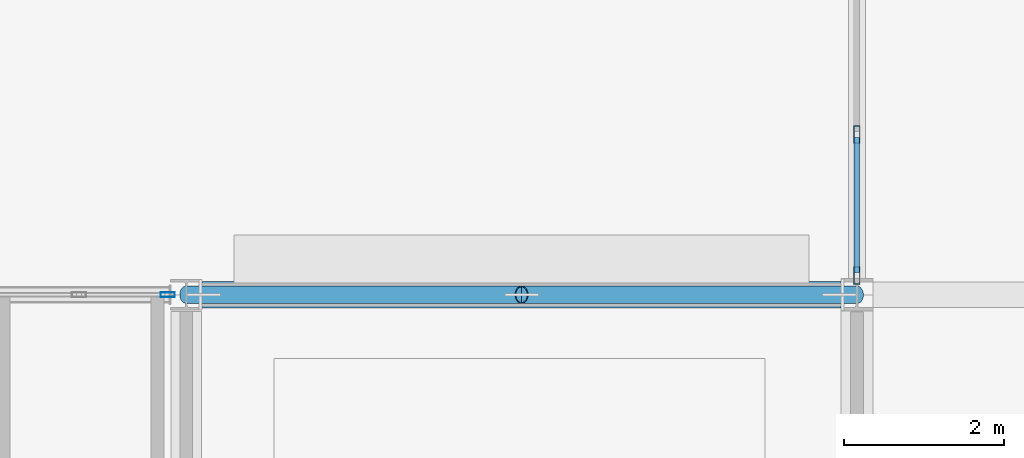
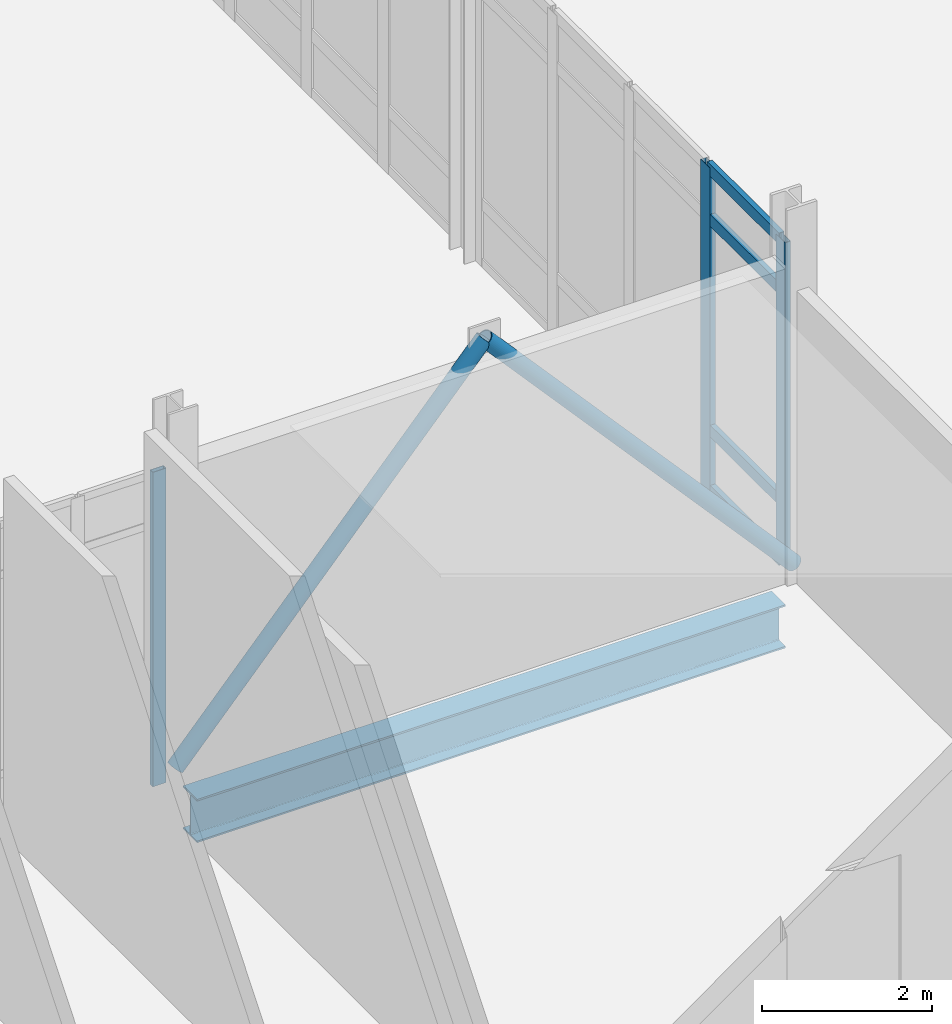
# One storey, part 33 of 229: 9 members, 1 beam, 2 elements without a shape of their own.
"""IFC4 building model written with IfcOpenShell, lengths in metres."""

import ifcopenshell
import ifcopenshell.guid

model = None  # the IFC model being written
_history = None  # IfcOwnerHistory: only IFC2X3 demands one
_inside = {}  # id of a spatial element -> (the spatial element, [elements in it])
_under = {}  # id of a project, library or spatial element -> (it, [spatial elements below it])
_declared = {}  # id of a project -> (the project, [libraries it declares])
_typed = {}  # id of a type object -> (the type object, [elements of that type])
_made_of = {}  # id of a material, layer set ... -> (it, [elements and type objects made of it])


def new_model(schema):
    """Start an empty IFC model of exactly this schema.

    Asked for "IFC4X3", IfcOpenShell would pick the latest addendum, in which some entities
    have other attributes; the version numbers below select the first issue.
    IFC2X3 requires an IfcOwnerHistory on every rooted entity: one is made here for all.
    """
    global model, _history
    if schema == "IFC4X3":
        model = ifcopenshell.file(schema_version=(4, 3, 0, 0))
    else:
        model = ifcopenshell.file(schema=schema)
    _inside.clear()
    _under.clear()
    _declared.clear()
    _typed.clear()
    _made_of.clear()
    _history = None
    if model.schema == "IFC2X3":
        org = make("IfcOrganization", Name="unknown")
        user = make(
            "IfcPersonAndOrganization",
            ThePerson=make("IfcPerson", FamilyName="unknown"),
            TheOrganization=org,
        )
        app = make(
            "IfcApplication",
            ApplicationDeveloper=org,
            Version="unknown",
            ApplicationFullName="unknown",
            ApplicationIdentifier="unknown",
        )
        _history = make(
            "IfcOwnerHistory",
            OwningUser=user,
            OwningApplication=app,
            ChangeAction="ADDED",
            CreationDate=0,
        )
    return model


def make(cls, **values):
    """One entity of the class cls with the attributes given. An attribute that is None is left unset."""
    return model.create_entity(
        cls, **{name: value for name, value in values.items() if value is not None}
    )


def rooted(cls, **values):
    """An entity with a GlobalId (a new one), such as an element, a storey or a relation."""
    return make(cls, GlobalId=ifcopenshell.guid.new(), OwnerHistory=_history, **values)


def si_unit(unit_type, name, prefix=None):
    """IfcSIUnit, for example si_unit("LENGTHUNIT", "METRE", prefix="MILLI")."""
    return make("IfcSIUnit", UnitType=unit_type, Prefix=prefix, Name=name)


def assignment(units):
    """IfcUnitAssignment: the units of a project."""
    return None if units is None else make("IfcUnitAssignment", Units=units)


def point(xyz):
    """IfcCartesianPoint."""
    return None if xyz is None else make("IfcCartesianPoint", Coordinates=xyz)


def direction(xyz):
    """IfcDirection."""
    return None if xyz is None else make("IfcDirection", DirectionRatios=xyz)


def frame(location, z_axis=None, x_axis=None):
    """IfcAxis2Placement3D, a coordinate frame: its origin and axes. An axis left out is left unset."""
    return make(
        "IfcAxis2Placement3D",
        Location=point(location),
        Axis=direction(z_axis),
        RefDirection=direction(x_axis),
    )


def frame_2d(location, x_axis=None):
    """IfcAxis2Placement2D, a coordinate frame in the plane: its origin and x axis."""
    return make(
        "IfcAxis2Placement2D", Location=point(location), RefDirection=direction(x_axis)
    )


def origin():
    """The frame at (0, 0, 0) with its axes left unset."""
    return frame((0.0, 0.0, 0.0))


def origin_2d():
    """The frame at (0, 0) in the plane with its x axis left unset."""
    return frame_2d((0.0, 0.0))


def place(relative_to, where):
    """IfcLocalPlacement: puts the frame where relative to a parent placement (None: the world)."""
    return make(
        "IfcLocalPlacement", PlacementRelTo=relative_to, RelativePlacement=where
    )


def context(
    kind, dimensions, precision=None, world=None, true_north=None, identifier=None
):
    """IfcGeometricRepresentationContext, for example the 3D "Model" context."""
    return make(
        "IfcGeometricRepresentationContext",
        ContextIdentifier=identifier,
        ContextType=kind,
        CoordinateSpaceDimension=dimensions,
        Precision=precision,
        WorldCoordinateSystem=world,
        TrueNorth=true_north,
    )


def subcontext(parent, identifier, kind, view, scale=None):
    """IfcGeometricRepresentationSubContext, for example "Body" below "Model"."""
    return make(
        "IfcGeometricRepresentationSubContext",
        ContextIdentifier=identifier,
        ContextType=kind,
        ParentContext=parent,
        TargetScale=scale,
        TargetView=view,
    )


def project(units=None, contexts=None):
    """IfcProject with its units and contexts."""
    return rooted(
        "IfcProject",
        Name="project",
        RepresentationContexts=contexts,
        UnitsInContext=assignment(units),
    )


def spatial(cls, under=None, at=None, **own):
    """A site, building, storey or space (cls), placed at a placement, below another one or the project."""
    s = rooted(cls, ObjectPlacement=at, **own)
    if under is not None:
        _under.setdefault(under.id(), (under, []))[1].append(s)
    return s


def profile(cls, at=None, kind="AREA", **sizes):
    """A parametric profile (cls). Its sizes go by their IFC names, for example OverallWidth=200.0."""
    return make(cls, ProfileType=kind, Position=at, **sizes)


def hollow_rectangle(**sizes):
    """IfcRectangleHollowProfileDef."""
    return profile("IfcRectangleHollowProfileDef", **sizes)


def hollow_circle(**sizes):
    """IfcCircleHollowProfileDef."""
    return profile("IfcCircleHollowProfileDef", **sizes)


def i_section(**sizes):
    """IfcIShapeProfileDef."""
    return profile("IfcIShapeProfileDef", **sizes)


def extrude(swept, where, along, depth):
    """IfcExtrudedAreaSolid: the profile swept, set in the frame where, extruded along a direction by depth."""
    return make(
        "IfcExtrudedAreaSolid",
        SweptArea=swept,
        Position=where,
        ExtrudedDirection=direction(along),
        Depth=depth,
    )


def shape(context_of_items, identifier, shape_type, items):
    """IfcShapeRepresentation: the items that make up one representation, for example the "Body"."""
    return make(
        "IfcShapeRepresentation",
        ContextOfItems=context_of_items,
        RepresentationIdentifier=identifier,
        RepresentationType=shape_type,
        Items=items,
    )


def material(Name=None, Category=None):
    """IfcMaterial."""
    return make("IfcMaterial", Name=Name, Category=Category)


def layer(
    of_material, thickness, ventilated=None, Name=None, Category=None, Priority=None
):
    """IfcMaterialLayer: one layer of a wall or slab, of a material (None: an air gap)."""
    return make(
        "IfcMaterialLayer",
        Material=of_material,
        LayerThickness=thickness,
        IsVentilated=ventilated,
        Name=Name,
        Category=Category,
        Priority=Priority,
    )


def layer_set(layers, Name=None):
    """IfcMaterialLayerSet."""
    return make("IfcMaterialLayerSet", MaterialLayers=layers, LayerSetName=Name)


def material_profile(
    of_material, cross_section, Name=None, Category=None, Priority=None
):
    """IfcMaterialProfile: a cross section and its material."""
    return make(
        "IfcMaterialProfile",
        Name=Name,
        Material=of_material,
        Profile=cross_section,
        Priority=Priority,
        Category=Category,
    )


def profile_set(profiles, Name=None, composite=None):
    """IfcMaterialProfileSet."""
    return make(
        "IfcMaterialProfileSet",
        Name=Name,
        MaterialProfiles=profiles,
        CompositeProfile=composite,
    )


def made_of(thing, what):
    """Note that an element or type object is made of a material, layer set ...; save() writes the relation."""
    if what is not None:
        _made_of.setdefault(what.id(), (what, []))[1].append(thing)
    return thing


def type_object(cls, material=None, **own):
    """A type object (cls), such as IfcWallType, which elements share."""
    return made_of(rooted(cls, **own), material)


def element(
    cls,
    number,
    at=None,
    inside=None,
    cuts=None,
    type_object=None,
    material=None,
    context=None,
    identifier="Body",
    shape_type=None,
    held_by="IfcProductDefinitionShape",
    body=None,
    shapes=None,
    **own,
):
    """One element of the class cls, such as IfcWall. Its Tag is "e" and its number.

    at: its placement. inside: the storey or other place that contains it. cuts: it is an
    opening in that element (IfcRelVoidsElement). A single representation is given by context,
    identifier, shape_type and body (its items); several are given by shapes. held_by: the class
    of the entity that holds the representations. save() writes the other relations.
    """
    e = rooted(cls, Tag="e%d" % number, ObjectPlacement=at, **own)
    if body is not None:
        shapes = [shape(context, identifier, shape_type, body)]
    if shapes is not None:
        e.Representation = make(held_by, Representations=shapes)
    if inside is not None:
        _inside.setdefault(inside.id(), (inside, []))[1].append(e)
    if cuts is not None:
        rooted(
            "IfcRelVoidsElement", RelatingBuildingElement=cuts, RelatedOpeningElement=e
        )
    if type_object is not None:
        _typed.setdefault(type_object.id(), (type_object, []))[1].append(e)
    return made_of(e, material)


def aggregate(whole, parts):
    """IfcRelAggregates: a whole, such as a stair, and the parts it consists of."""
    return rooted("IfcRelAggregates", RelatingObject=whole, RelatedObjects=parts)


def save(model, path):
    """Write the relations noted so far, then the file.

    IfcRelAggregates (storeys below a building ...), IfcRelContainedInSpatialStructure (elements
    in a storey), IfcRelDefinesByType, IfcRelAssociatesMaterial and IfcRelDeclares: one each for
    every whole, place, type object, material and project.
    """
    for whole, parts in _under.values():
        aggregate(whole, parts)
    for where, things in _inside.values():
        rooted(
            "IfcRelContainedInSpatialStructure",
            RelatedElements=things,
            RelatingStructure=where,
        )
    for kind, things in _typed.values():
        rooted("IfcRelDefinesByType", RelatedObjects=things, RelatingType=kind)
    for what, things in _made_of.values():
        rooted("IfcRelAssociatesMaterial", RelatedObjects=things, RelatingMaterial=what)
    for by, libraries in _declared.values():
        rooted("IfcRelDeclares", RelatingContext=by, RelatedDefinitions=libraries)
    model.write(path)


model = new_model("IFC4")

# Units and contexts
model_context = context("Model", 3, precision=1e-05, world=origin(), true_north=direction((0.0, 1.0)))
body_context = subcontext(model_context, "Body", "Model", "MODEL_VIEW")
ifc_project = project(units=[si_unit("LENGTHUNIT", "METRE"), si_unit("AREAUNIT", "SQUARE_METRE"), si_unit("VOLUMEUNIT", "CUBIC_METRE"), si_unit("PLANEANGLEUNIT", "RADIAN"), si_unit("MASSUNIT", "GRAM", prefix="KILO")], contexts=[model_context])

# Site, building, storey
site_placement = place(None, origin())
site = spatial("IfcSite", under=ifc_project, at=site_placement, CompositionType="ELEMENT")
building_placement = place(site_placement, origin())
building = spatial("IfcBuilding", under=site, at=building_placement, Name="Calvrana Isthmian Art Gallery", CompositionType="ELEMENT")
storey_placement = place(building_placement, origin())
storey = spatial("IfcBuildingStorey", under=building, at=storey_placement, Name="L00", CompositionType="ELEMENT", Elevation=0.0)

# Beam
ifc_material_1 = material(Name="Steel ASTM A992 Gr 50", Category="steel")
ifc_material_profile_1 = material_profile(ifc_material_1, i_section(OverallWidth=0.327880859375, OverallDepth=0.6220703125, WebThickness=0.015380859375, FlangeThickness=0.0244140625, FilletRadius=0.02197265625, at=origin_2d()), Name="W24X131")
ifc_profile_set_1 = profile_set([ifc_material_profile_1], Name="Steel ASTM A992 Gr 50")
beam_type = type_object("IfcBeamType", Name="BM-G-W24X131", PredefinedType="BEAM", material=ifc_profile_set_1)
beam_placement = place(storey_placement, frame((47.0029296875, 46.800048828125, -0.595947265625), z_axis=(1.0, 0.0, 0.0), x_axis=(0.0, 1.0, 0.0)))
element("IfcBeam", 1, at=beam_placement, inside=storey, type_object=beam_type, Name="Girder X L00 07-08/G", PredefinedType="BEAM", context=body_context, shape_type="SweptSolid", body=[
    extrude(i_section(OverallWidth=0.327880859375, OverallDepth=0.6220703125, WebThickness=0.015380859375, FlangeThickness=0.0244140625, FilletRadius=0.02197265625, at=origin_2d()), origin(), (0.0, 0.0, 1.0), 7.99658203125),
])

# Curtain wall, member
ifc_material_2 = material(Name="Anodized bronze aluminium 6063-T6", Category="aluminium")
ifc_layer_1 = layer(ifc_material_2, 0.179931640625, Name="Anodized bronze aluminium 6063-T6")
ifc_layer_set_1 = layer_set([ifc_layer_1], Name="Anodized bronze aluminium 6063-T6")
curtain_wall_type_1 = type_object("IfcCurtainWallType", Name="CW-STICK-080X45", PredefinedType="NOTDEFINED", material=ifc_layer_set_1)
curtain_wall_1_placement = place(storey_placement, origin())
curtain_wall_1 = element("IfcCurtainWall", 2, at=curtain_wall_1_placement, inside=storey, type_object=curtain_wall_type_1, Name="Curtain wall CW-020", PredefinedType="NOTDEFINED")
ifc_material_profile_2 = material_profile(ifc_material_2, hollow_rectangle(XDim=0.06494140625, YDim=0.179931640625, WallThickness=0.00439453125, at=origin_2d()), Name="CWM65X180")
ifc_profile_set_2 = profile_set([ifc_material_profile_2], Name="Anodized bronze aluminium 6063-T6")
member_type_1 = type_object("IfcMemberType", Name="CWM-CWM65X180", PredefinedType="MULLION", material=ifc_profile_set_2)
member_1_placement = place(storey_placement, frame((46.568115234375, 46.800048828125, 0.0), z_axis=(0.0, 0.0, 1.0), x_axis=(0.0, 1.0, 0.0)))
member_1 = element("IfcMember", 3, at=member_1_placement, type_object=member_type_1, Name="CW-020 mullion 8", PredefinedType="MULLION", context=body_context, shape_type="SweptSolid", body=[
    extrude(hollow_rectangle(XDim=0.06494140625, YDim=0.179931640625, WallThickness=0.00439453125, at=origin_2d()), origin(), (0.0, 0.0, 1.0), 4.51806640625),
])
aggregate(curtain_wall_1, [member_1])

# Curtain wall, members
ifc_layer_2 = layer(ifc_material_2, 0.179931640625, Name="Anodized bronze aluminium 6063-T6")
ifc_layer_set_2 = layer_set([ifc_layer_2], Name="Anodized bronze aluminium 6063-T6")
curtain_wall_type_2 = type_object("IfcCurtainWallType", Name="CW-STICK-072X47", PredefinedType="NOTDEFINED", material=ifc_layer_set_2)
curtain_wall_2_placement = place(storey_placement, origin())
curtain_wall_2 = element("IfcCurtainWall", 4, at=curtain_wall_2_placement, inside=storey, type_object=curtain_wall_type_2, Name="Curtain wall CW-058", PredefinedType="NOTDEFINED")
ifc_material_profile_3 = material_profile(ifc_material_2, hollow_rectangle(XDim=0.074951171875, YDim=0.219970703125, WallThickness=0.0048828125, at=origin_2d()), Name="CWM75X220")
ifc_profile_set_3 = profile_set([ifc_material_profile_3], Name="Anodized bronze aluminium 6063-T6")
member_type_2 = type_object("IfcMemberType", Name="CWM-CWM75X220", PredefinedType="MULLION", material=ifc_profile_set_3)
member_2_placement = place(storey_placement, frame((55.199951171875, 47.04052734375, 0.0), z_axis=(0.0, 0.0, 1.0), x_axis=(-1.0, 0.0, 0.0)))
member_2 = element("IfcMember", 5, at=member_2_placement, type_object=member_type_2, Name="CW-058 mullion 1", PredefinedType="MULLION", context=body_context, shape_type="SweptSolid", body=[
    extrude(hollow_rectangle(XDim=0.074951171875, YDim=0.219970703125, WallThickness=0.0048828125, at=origin_2d()), origin(), (0.0, 0.0, 1.0), 4.677978515625),
])
member_3_placement = place(storey_placement, frame((55.199951171875, 48.806884765625, 0.0), z_axis=(0.0, 0.0, 1.0), x_axis=(-1.0, 0.0, 0.0)))
member_3 = element("IfcMember", 6, at=member_3_placement, type_object=member_type_2, Name="CW-058 mullion 2", PredefinedType="MULLION", context=body_context, shape_type="SweptSolid", body=[
    extrude(hollow_rectangle(XDim=0.074951171875, YDim=0.219970703125, WallThickness=0.0048828125, at=origin_2d()), origin(), (0.0, 0.0, 1.0), 4.677978515625),
])
ifc_material_profile_4 = material_profile(ifc_material_2, hollow_rectangle(XDim=0.070068359375, YDim=0.169921875, WallThickness=0.00439453125, at=origin_2d()), Name="CWT70X170")
ifc_profile_set_4 = profile_set([ifc_material_profile_4], Name="Anodized bronze aluminium 6063-T6")
member_type_3 = type_object("IfcMemberType", Name="CWT-CWT70X170", PredefinedType="USERDEFINED", material=ifc_profile_set_4)
member_4_placement = place(storey_placement, frame((55.199951171875, 47.077880859375, 0.034912109375), z_axis=(0.0, 1.0, 0.0), x_axis=(-1.0, 0.0, 0.0)))
member_4 = element("IfcMember", 7, at=member_4_placement, type_object=member_type_3, Name="CW-058 transom 1.1", ObjectType="TRANSOM", PredefinedType="USERDEFINED", context=body_context, shape_type="SweptSolid", body=[
    extrude(hollow_rectangle(XDim=0.070068359375, YDim=0.169921875, WallThickness=0.00439453125, at=origin_2d()), origin(), (0.0, 0.0, 1.0), 1.69140625),
])
member_5_placement = place(storey_placement, frame((55.199951171875, 47.077880859375, 0.89990234375), z_axis=(0.0, 1.0, 0.0), x_axis=(-1.0, 0.0, 0.0)))
member_5 = element("IfcMember", 8, at=member_5_placement, type_object=member_type_3, Name="CW-058 transom 1.2", ObjectType="TRANSOM", PredefinedType="USERDEFINED", context=body_context, shape_type="SweptSolid", body=[
    extrude(hollow_rectangle(XDim=0.070068359375, YDim=0.169921875, WallThickness=0.00439453125, at=origin_2d()), origin(), (0.0, 0.0, 1.0), 1.69140625),
])
member_6_placement = place(storey_placement, frame((55.199951171875, 47.077880859375, 3.927978515625), z_axis=(0.0, 1.0, 0.0), x_axis=(-1.0, 0.0, 0.0)))
member_6 = element("IfcMember", 9, at=member_6_placement, type_object=member_type_3, Name="CW-058 transom 1.3", ObjectType="TRANSOM", PredefinedType="USERDEFINED", context=body_context, shape_type="SweptSolid", body=[
    extrude(hollow_rectangle(XDim=0.070068359375, YDim=0.169921875, WallThickness=0.00439453125, at=origin_2d()), origin(), (0.0, 0.0, 1.0), 1.69140625),
])
member_7_placement = place(storey_placement, frame((55.199951171875, 47.077880859375, 4.64306640625), z_axis=(0.0, 1.0, 0.0), x_axis=(-1.0, 0.0, 0.0)))
member_7 = element("IfcMember", 10, at=member_7_placement, type_object=member_type_3, Name="CW-058 transom 1.4", ObjectType="TRANSOM", PredefinedType="USERDEFINED", context=body_context, shape_type="SweptSolid", body=[
    extrude(hollow_rectangle(XDim=0.070068359375, YDim=0.169921875, WallThickness=0.00439453125, at=origin_2d()), origin(), (0.0, 0.0, 1.0), 1.69140625),
])
aggregate(curtain_wall_2, [member_2, member_3, member_4, member_5, member_6, member_7])

# Members
ifc_material_3 = material(Name="Steel ASTM A500 Gr C", Category="steel")
ifc_material_profile_5 = material_profile(ifc_material_3, hollow_circle(Radius=0.109619140625, WallThickness=0.0126953125, at=origin_2d()), Name="HSS219.1X12.7")
ifc_profile_set_5 = profile_set([ifc_material_profile_5], Name="Steel ASTM A500 Gr C")
member_type_4 = type_object("IfcMemberType", Name="MB-BR-CHS219", PredefinedType="BRACE", material=ifc_profile_set_5)
for number, where, z_axis, x_axis, name in (
    (11, (46.800048828125, 46.800048828125, 0.14990234375), (0.66638826281, 0.0, 0.745604910921), (0.0, 1.0, 0.0), "Chevron lateral brace L00-2A"),
    (12, (55.199951171875, 46.800048828125, 0.14990234375), (-0.66638826281, 0.0, 0.745604910921), (0.0, -1.0, 0.0), "Chevron lateral brace L00-2B"),
):
    element("IfcMember", number, at=place(storey_placement, frame(where, z_axis=z_axis, x_axis=x_axis)), inside=storey, type_object=member_type_4, Name=name, PredefinedType="BRACE", context=body_context, shape_type="SweptSolid", body=[
        extrude(hollow_circle(Radius=0.109619140625, WallThickness=0.0126953125, at=origin_2d()), origin(), (0.0, 0.0, 1.0), 6.302490234375),
    ])

save(model, "model.ifc")
